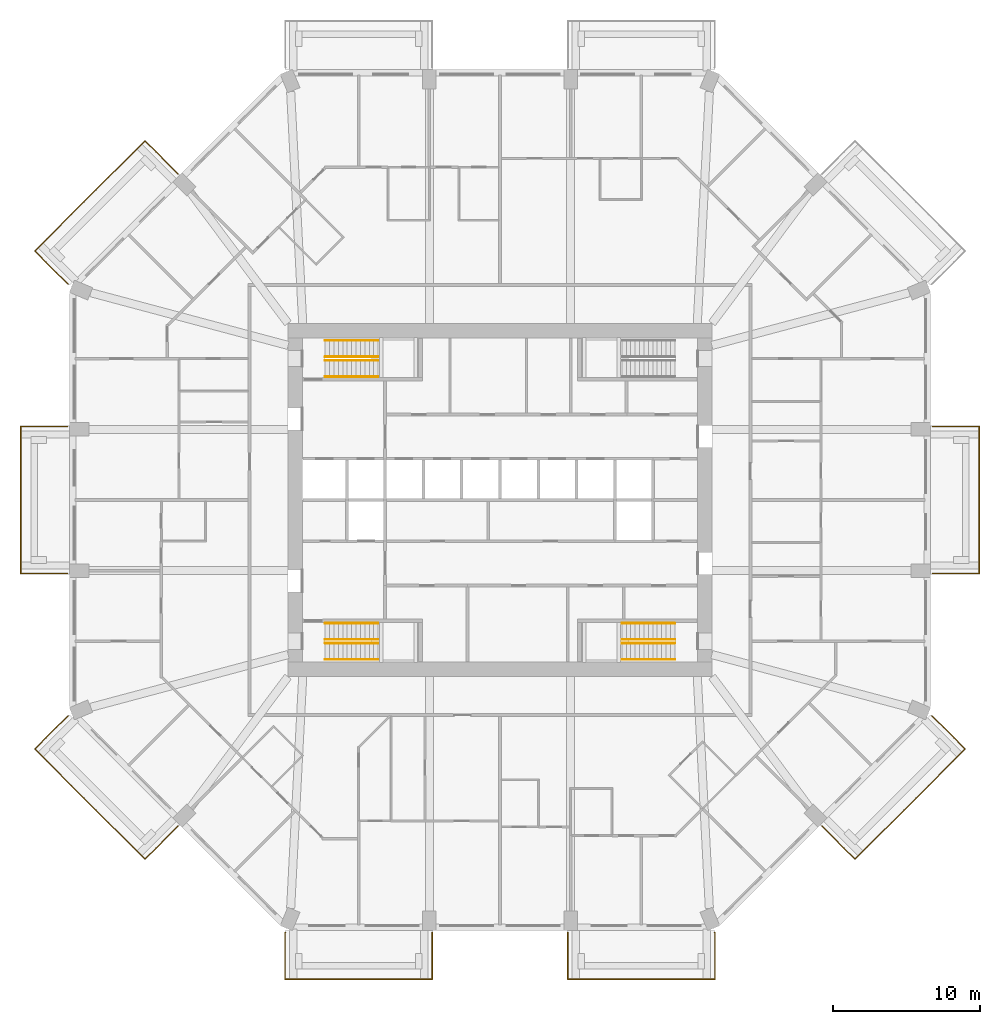
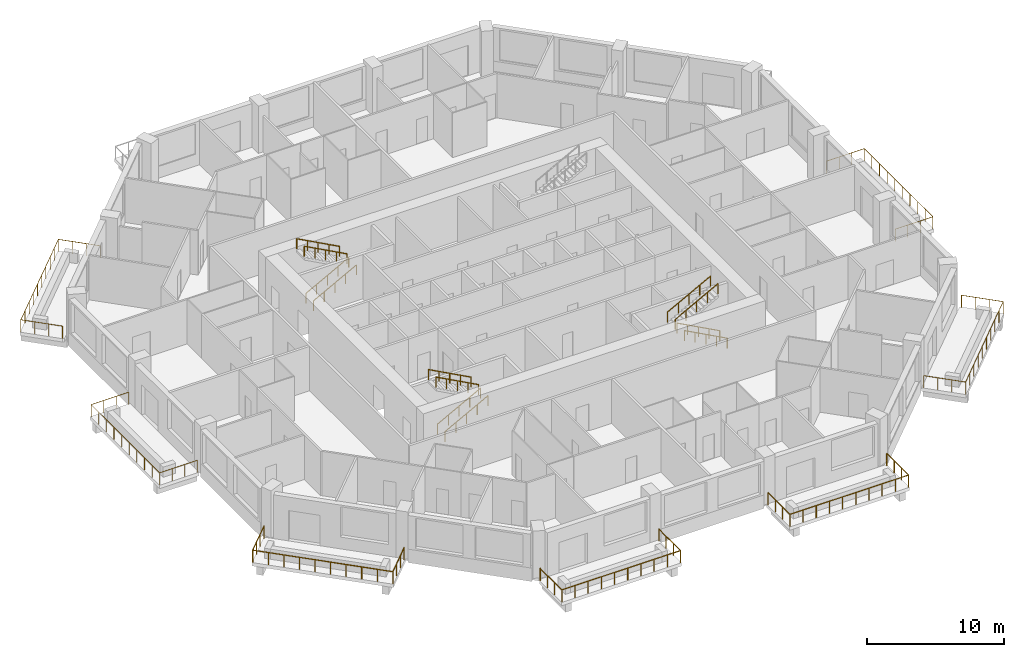
# One storey, part 12 of 13: 19 railings.
"""IFC4 building model written with IfcOpenShell, lengths in metres."""

from ifc_helpers import new_model, si_unit, direction, frame, origin, origin_2d, place, context, subcontext, project, spatial, circle, extrude, material, constituent, constituent_set, type_object, element, save


model = new_model("IFC4")

# Units and contexts
model_context = context("Model", 3, precision=1e-05, world=origin(), true_north=direction((0.0, 1.0)))
body_context = subcontext(model_context, "Body", "Model", "MODEL_VIEW")
ifc_project = project(units=[si_unit("LENGTHUNIT", "METRE"), si_unit("AREAUNIT", "SQUARE_METRE"), si_unit("VOLUMEUNIT", "CUBIC_METRE"), si_unit("PLANEANGLEUNIT", "RADIAN"), si_unit("MASSUNIT", "GRAM", prefix="KILO")], contexts=[model_context])

# Site, building, storey
site_placement = place(None, origin())
site = spatial("IfcSite", under=ifc_project, at=site_placement, CompositionType="ELEMENT")
building_placement = place(site_placement, origin())
building = spatial("IfcBuilding", under=site, at=building_placement, Name="Msitu Wima Residences", CompositionType="ELEMENT")
storey_placement = place(building_placement, frame((0.0, 0.0, 38.10009765625)))
storey = spatial("IfcBuildingStorey", under=building, at=storey_placement, Name="L08", CompositionType="ELEMENT", Elevation=38.10009765625)

# Railings
ifc_material_1 = material(Name="Steel S355", Category="steel")
ifc_constituent_1 = constituent(ifc_material_1, Name="Steel S355")
ifc_material_2 = material(Name="Weathering patina")
ifc_constituent_2 = constituent(ifc_material_2, Name="Weathering patina")
ifc_constituent_set_1 = constituent_set(constituents=[ifc_constituent_1, ifc_constituent_2], Name="Steel S355")
railing_type_1 = type_object("IfcRailingType", Name="Balcony guard GR1100", PredefinedType="GUARDRAIL", material=ifc_constituent_set_1)
railing_1_placement = place(storey_placement, frame((29.3798828125, 5.0, 0.0)))
element("IfcRailing", 1, at=railing_1_placement, inside=storey, type_object=railing_type_1, Name="Balcony guard E1 L08", PredefinedType="GUARDRAIL", context=body_context, shape_type="SweptSolid", body=[
    extrude(circle(Radius=0.02392578125, at=origin_2d()), frame((0.0, 0.0, 1.076171875), z_axis=(1.0, 0.0, 0.0), x_axis=(0.0, 1.0, 0.0)), (0.0, 0.0, 1.0), 3.170166015625),
    extrude(circle(Radius=0.02392578125, at=origin_2d()), frame((3.170166015625, 0.0, 1.076171875), z_axis=(0.0, -1.0, 0.0), x_axis=(1.0, 0.0, 0.0)), (0.0, 0.0, 1.0), 10.0),
    extrude(circle(Radius=0.02392578125, at=origin_2d()), frame((3.170166015625, -10.0, 1.076171875), z_axis=(-1.0, 0.0, 0.0), x_axis=(0.0, -1.0, 0.0)), (0.0, 0.0, 1.0), 3.170166015625),
    extrude(circle(Radius=0.02099609375, at=origin_2d()), origin(), (0.0, 0.0, 1.0), 1.052001953125),
    extrude(circle(Radius=0.02099609375, at=origin_2d()), frame((1.056640625, 0.0, 0.0)), (0.0, 0.0, 1.0), 1.052001953125),
    extrude(circle(Radius=0.02099609375, at=origin_2d()), frame((2.113525390625, 0.0, 0.0)), (0.0, 0.0, 1.0), 1.052001953125),
    extrude(circle(Radius=0.02099609375, at=origin_2d()), frame((3.170166015625, 0.0, 0.0)), (0.0, 0.0, 1.0), 1.052001953125),
    extrude(circle(Radius=0.02099609375, at=origin_2d()), frame((3.170166015625, -1.111083984375, 0.0)), (0.0, 0.0, 1.0), 1.052001953125),
    extrude(circle(Radius=0.02099609375, at=origin_2d()), frame((3.170166015625, -2.22216796875, 0.0)), (0.0, 0.0, 1.0), 1.052001953125),
    extrude(circle(Radius=0.02099609375, at=origin_2d()), frame((3.170166015625, -3.333251953125, 0.0)), (0.0, 0.0, 1.0), 1.052001953125),
    extrude(circle(Radius=0.02099609375, at=origin_2d()), frame((3.170166015625, -4.4443359375, 0.0)), (0.0, 0.0, 1.0), 1.052001953125),
    extrude(circle(Radius=0.02099609375, at=origin_2d()), frame((3.170166015625, -5.5556640625, 0.0)), (0.0, 0.0, 1.0), 1.052001953125),
    extrude(circle(Radius=0.02099609375, at=origin_2d()), frame((3.170166015625, -6.666748046875, 0.0)), (0.0, 0.0, 1.0), 1.052001953125),
    extrude(circle(Radius=0.02099609375, at=origin_2d()), frame((3.170166015625, -7.77783203125, 0.0)), (0.0, 0.0, 1.0), 1.052001953125),
    extrude(circle(Radius=0.02099609375, at=origin_2d()), frame((3.170166015625, -8.888916015625, 0.0)), (0.0, 0.0, 1.0), 1.052001953125),
    extrude(circle(Radius=0.02099609375, at=origin_2d()), frame((3.170166015625, -10.0, 0.0)), (0.0, 0.0, 1.0), 1.052001953125),
    extrude(circle(Radius=0.02099609375, at=origin_2d()), frame((2.113525390625, -10.0, 0.0)), (0.0, 0.0, 1.0), 1.052001953125),
    extrude(circle(Radius=0.02099609375, at=origin_2d()), frame((1.056640625, -10.0, 0.0)), (0.0, 0.0, 1.0), 1.052001953125),
    extrude(circle(Radius=0.02099609375, at=origin_2d()), frame((0.0, -10.0, 0.0)), (0.0, 0.0, 1.0), 1.052001953125),
])
railing_2_placement = place(storey_placement, frame((-29.341796875, 14.678466796875, 0.0)))
element("IfcRailing", 2, at=railing_2_placement, inside=storey, type_object=railing_type_1, Name="Balcony guard NW1 L08", PredefinedType="GUARDRAIL", context=body_context, shape_type="SweptSolid", body=[
    extrude(circle(Radius=0.02392578125, at=origin_2d()), frame((0.0, 0.0, 1.076171875), z_axis=(-0.923276184907, 0.384136806859, 0.0), x_axis=(-0.384136806859, -0.923276184907, 0.0)), (0.0, 0.0, 1.0), 0.0361328125),
    extrude(circle(Radius=0.02392578125, at=origin_2d()), frame((-0.033447265625, 0.013916015625, 1.076171875), z_axis=(-0.707106781187, 0.707106781187, 0.0), x_axis=(-0.707106781187, -0.707106781187, 0.0)), (0.0, 0.0, 1.0), 3.136474609375),
    extrude(circle(Radius=0.02392578125, at=origin_2d()), frame((-2.251220703125, 2.231689453125, 1.076171875), z_axis=(0.70709524572, 0.707118316465, 0.0), x_axis=(-0.707118316465, 0.70709524572, 0.0)), (0.0, 0.0, 1.0), 10.582275390625),
    extrude(circle(Radius=0.02392578125, at=origin_2d()), frame((5.2314453125, 9.714599609375, 1.076171875), z_axis=(0.707145287287, -0.707068272989, 0.0), x_axis=(0.707068272989, 0.707145287287, 0.0)), (0.0, 0.0, 1.0), 3.170166015625),
    extrude(circle(Radius=0.02099609375, at=origin_2d()), origin(), (0.0, 0.0, 1.0), 1.052001953125),
    extrude(circle(Radius=0.02099609375, at=origin_2d()), frame((-0.033447265625, 0.013916015625, 0.0)), (0.0, 0.0, 1.0), 1.052001953125),
    extrude(circle(Radius=0.02099609375, at=origin_2d()), frame((-0.772705078125, 0.753173828125, 0.0)), (0.0, 0.0, 1.0), 1.052001953125),
    extrude(circle(Radius=0.02099609375, at=origin_2d()), frame((-1.511962890625, 1.492431640625, 0.0)), (0.0, 0.0, 1.0), 1.052001953125),
    extrude(circle(Radius=0.02099609375, at=origin_2d()), frame((-2.251220703125, 2.231689453125, 0.0)), (0.0, 0.0, 1.0), 1.052001953125),
    extrude(circle(Radius=0.02099609375, at=origin_2d()), frame((-1.419921875, 3.063232421875, 0.0)), (0.0, 0.0, 1.0), 1.052001953125),
    extrude(circle(Radius=0.02099609375, at=origin_2d()), frame((-0.58837890625, 3.89453125, 0.0)), (0.0, 0.0, 1.0), 1.052001953125),
    extrude(circle(Radius=0.02099609375, at=origin_2d()), frame((0.242919921875, 4.72607421875, 0.0)), (0.0, 0.0, 1.0), 1.052001953125),
    extrude(circle(Radius=0.02099609375, at=origin_2d()), frame((1.074462890625, 5.557373046875, 0.0)), (0.0, 0.0, 1.0), 1.052001953125),
    extrude(circle(Radius=0.02099609375, at=origin_2d()), frame((1.90576171875, 6.388916015625, 0.0)), (0.0, 0.0, 1.0), 1.052001953125),
    extrude(circle(Radius=0.02099609375, at=origin_2d()), frame((2.7373046875, 7.22021484375, 0.0)), (0.0, 0.0, 1.0), 1.052001953125),
    extrude(circle(Radius=0.02099609375, at=origin_2d()), frame((3.568603515625, 8.0517578125, 0.0)), (0.0, 0.0, 1.0), 1.052001953125),
    extrude(circle(Radius=0.02099609375, at=origin_2d()), frame((4.400146484375, 8.883056640625, 0.0)), (0.0, 0.0, 1.0), 1.052001953125),
    extrude(circle(Radius=0.02099609375, at=origin_2d()), frame((5.2314453125, 9.714599609375, 0.0)), (0.0, 0.0, 1.0), 1.052001953125),
    extrude(circle(Radius=0.02099609375, at=origin_2d()), frame((5.978759765625, 8.967529296875, 0.0)), (0.0, 0.0, 1.0), 1.052001953125),
    extrude(circle(Radius=0.02099609375, at=origin_2d()), frame((6.725830078125, 8.22021484375, 0.0)), (0.0, 0.0, 1.0), 1.052001953125),
    extrude(circle(Radius=0.02099609375, at=origin_2d()), frame((7.47314453125, 7.47314453125, 0.0)), (0.0, 0.0, 1.0), 1.052001953125),
])
railing_3_placement = place(storey_placement, frame((-29.3798828125, -5.0, 0.0)))
element("IfcRailing", 3, at=railing_3_placement, inside=storey, type_object=railing_type_1, Name="Balcony guard W1 L08", PredefinedType="GUARDRAIL", context=body_context, shape_type="SweptSolid", body=[
    extrude(circle(Radius=0.02392578125, at=origin_2d()), frame((0.0, 0.0, 1.076171875), z_axis=(-1.0, 0.0, 0.0), x_axis=(0.0, -1.0, 0.0)), (0.0, 0.0, 1.0), 3.170166015625),
    extrude(circle(Radius=0.02392578125, at=origin_2d()), frame((-3.170166015625, 0.0, 1.076171875), z_axis=(0.0, 1.0, 0.0), x_axis=(-1.0, 0.0, 0.0)), (0.0, 0.0, 1.0), 10.0),
    extrude(circle(Radius=0.02392578125, at=origin_2d()), frame((-3.170166015625, 10.0, 1.076171875), z_axis=(1.0, 0.0, 0.0), x_axis=(0.0, 1.0, 0.0)), (0.0, 0.0, 1.0), 3.170166015625),
    extrude(circle(Radius=0.02099609375, at=origin_2d()), origin(), (0.0, 0.0, 1.0), 1.052001953125),
    extrude(circle(Radius=0.02099609375, at=origin_2d()), frame((-1.056640625, 0.0, 0.0)), (0.0, 0.0, 1.0), 1.052001953125),
    extrude(circle(Radius=0.02099609375, at=origin_2d()), frame((-2.113525390625, 0.0, 0.0)), (0.0, 0.0, 1.0), 1.052001953125),
    extrude(circle(Radius=0.02099609375, at=origin_2d()), frame((-3.170166015625, 0.0, 0.0)), (0.0, 0.0, 1.0), 1.052001953125),
    extrude(circle(Radius=0.02099609375, at=origin_2d()), frame((-3.170166015625, 1.111083984375, 0.0)), (0.0, 0.0, 1.0), 1.052001953125),
    extrude(circle(Radius=0.02099609375, at=origin_2d()), frame((-3.170166015625, 2.22216796875, 0.0)), (0.0, 0.0, 1.0), 1.052001953125),
    extrude(circle(Radius=0.02099609375, at=origin_2d()), frame((-3.170166015625, 3.333251953125, 0.0)), (0.0, 0.0, 1.0), 1.052001953125),
    extrude(circle(Radius=0.02099609375, at=origin_2d()), frame((-3.170166015625, 4.4443359375, 0.0)), (0.0, 0.0, 1.0), 1.052001953125),
    extrude(circle(Radius=0.02099609375, at=origin_2d()), frame((-3.170166015625, 5.5556640625, 0.0)), (0.0, 0.0, 1.0), 1.052001953125),
    extrude(circle(Radius=0.02099609375, at=origin_2d()), frame((-3.170166015625, 6.666748046875, 0.0)), (0.0, 0.0, 1.0), 1.052001953125),
    extrude(circle(Radius=0.02099609375, at=origin_2d()), frame((-3.170166015625, 7.77783203125, 0.0)), (0.0, 0.0, 1.0), 1.052001953125),
    extrude(circle(Radius=0.02099609375, at=origin_2d()), frame((-3.170166015625, 8.888916015625, 0.0)), (0.0, 0.0, 1.0), 1.052001953125),
    extrude(circle(Radius=0.02099609375, at=origin_2d()), frame((-3.170166015625, 10.0, 0.0)), (0.0, 0.0, 1.0), 1.052001953125),
    extrude(circle(Radius=0.02099609375, at=origin_2d()), frame((-2.113525390625, 10.0, 0.0)), (0.0, 0.0, 1.0), 1.052001953125),
    extrude(circle(Radius=0.02099609375, at=origin_2d()), frame((-1.056640625, 10.0, 0.0)), (0.0, 0.0, 1.0), 1.052001953125),
    extrude(circle(Radius=0.02099609375, at=origin_2d()), frame((0.0, 10.0, 0.0)), (0.0, 0.0, 1.0), 1.052001953125),
])
railing_4_placement = place(storey_placement, frame((-21.86865234375, -22.151611328125, 0.0)))
element("IfcRailing", 4, at=railing_4_placement, inside=storey, type_object=railing_type_1, Name="Balcony guard SW0 L08", PredefinedType="GUARDRAIL", context=body_context, shape_type="SweptSolid", body=[
    extrude(circle(Radius=0.02392578125, at=origin_2d()), frame((0.0, 0.0, 1.076171875), z_axis=(-0.707145287287, -0.707068272989, 0.0), x_axis=(0.707068272989, -0.707145287287, 0.0)), (0.0, 0.0, 1.0), 3.170166015625),
    extrude(circle(Radius=0.02392578125, at=origin_2d()), frame((-2.24169921875, -2.241455078125, 1.076171875), z_axis=(-0.70709524572, 0.707118316465, 0.0), x_axis=(-0.707118316465, -0.70709524572, 0.0)), (0.0, 0.0, 1.0), 10.582275390625),
    extrude(circle(Radius=0.02392578125, at=origin_2d()), frame((-9.724365234375, 5.241455078125, 1.076171875), z_axis=(0.707106781187, 0.707106781187, 0.0), x_axis=(-0.707106781187, 0.707106781187, 0.0)), (0.0, 0.0, 1.0), 3.136474609375),
    extrude(circle(Radius=0.02392578125, at=origin_2d()), frame((-7.506591796875, 7.459228515625, 1.076171875), z_axis=(0.923276184907, 0.384136806859, 0.0), x_axis=(-0.384136806859, 0.923276184907, 0.0)), (0.0, 0.0, 1.0), 0.0361328125),
    extrude(circle(Radius=0.02099609375, at=origin_2d()), origin(), (0.0, 0.0, 1.0), 1.052001953125),
    extrude(circle(Radius=0.02099609375, at=origin_2d()), frame((-0.747314453125, -0.7470703125, 0.0)), (0.0, 0.0, 1.0), 1.052001953125),
    extrude(circle(Radius=0.02099609375, at=origin_2d()), frame((-1.494384765625, -1.494384765625, 0.0)), (0.0, 0.0, 1.0), 1.052001953125),
    extrude(circle(Radius=0.02099609375, at=origin_2d()), frame((-2.24169921875, -2.241455078125, 0.0)), (0.0, 0.0, 1.0), 1.052001953125),
    extrude(circle(Radius=0.02099609375, at=origin_2d()), frame((-3.072998046875, -1.409912109375, 0.0)), (0.0, 0.0, 1.0), 1.052001953125),
    extrude(circle(Radius=0.02099609375, at=origin_2d()), frame((-3.904541015625, -0.57861328125, 0.0)), (0.0, 0.0, 1.0), 1.052001953125),
    extrude(circle(Radius=0.02099609375, at=origin_2d()), frame((-4.73583984375, 0.2529296875, 0.0)), (0.0, 0.0, 1.0), 1.052001953125),
    extrude(circle(Radius=0.02099609375, at=origin_2d()), frame((-5.5673828125, 1.084228515625, 0.0)), (0.0, 0.0, 1.0), 1.052001953125),
    extrude(circle(Radius=0.02099609375, at=origin_2d()), frame((-6.398681640625, 1.915771484375, 0.0)), (0.0, 0.0, 1.0), 1.052001953125),
    extrude(circle(Radius=0.02099609375, at=origin_2d()), frame((-7.230224609375, 2.7470703125, 0.0)), (0.0, 0.0, 1.0), 1.052001953125),
    extrude(circle(Radius=0.02099609375, at=origin_2d()), frame((-8.0615234375, 3.57861328125, 0.0)), (0.0, 0.0, 1.0), 1.052001953125),
    extrude(circle(Radius=0.02099609375, at=origin_2d()), frame((-8.89306640625, 4.409912109375, 0.0)), (0.0, 0.0, 1.0), 1.052001953125),
    extrude(circle(Radius=0.02099609375, at=origin_2d()), frame((-9.724365234375, 5.241455078125, 0.0)), (0.0, 0.0, 1.0), 1.052001953125),
    extrude(circle(Radius=0.02099609375, at=origin_2d()), frame((-8.985107421875, 5.980712890625, 0.0)), (0.0, 0.0, 1.0), 1.052001953125),
    extrude(circle(Radius=0.02099609375, at=origin_2d()), frame((-8.245849609375, 6.719970703125, 0.0)), (0.0, 0.0, 1.0), 1.052001953125),
    extrude(circle(Radius=0.02099609375, at=origin_2d()), frame((-7.506591796875, 7.459228515625, 0.0)), (0.0, 0.0, 1.0), 1.052001953125),
    extrude(circle(Radius=0.02099609375, at=origin_2d()), frame((-7.47314453125, 7.47314453125, 0.0)), (0.0, 0.0, 1.0), 1.052001953125),
])
railing_5_placement = place(storey_placement, frame((-4.60009765625, -29.3798828125, 0.0)))
element("IfcRailing", 5, at=railing_5_placement, inside=storey, type_object=railing_type_1, Name="Balcony guard S0 L08", PredefinedType="GUARDRAIL", context=body_context, shape_type="SweptSolid", body=[
    extrude(circle(Radius=0.02392578125, at=origin_2d()), frame((0.0, 0.0, 1.076171875), z_axis=(0.0, -1.0, 0.0), x_axis=(1.0, 0.0, 0.0)), (0.0, 0.0, 1.0), 3.170166015625),
    extrude(circle(Radius=0.02392578125, at=origin_2d()), frame((0.0, -3.170166015625, 1.076171875), z_axis=(-1.0, 0.0, 0.0), x_axis=(0.0, -1.0, 0.0)), (0.0, 0.0, 1.0), 10.0),
    extrude(circle(Radius=0.02392578125, at=origin_2d()), frame((-10.0, -3.170166015625, 1.076171875), z_axis=(0.0, 1.0, 0.0), x_axis=(-1.0, 0.0, 0.0)), (0.0, 0.0, 1.0), 3.136474609375),
    extrude(circle(Radius=0.02392578125, at=origin_2d()), frame((-10.0, -0.03369140625, 1.076171875), z_axis=(0.38176015442, 0.92426142649, 0.0), x_axis=(-0.92426142649, 0.38176015442, 0.0)), (0.0, 0.0, 1.0), 0.036376953125),
    extrude(circle(Radius=0.02099609375, at=origin_2d()), origin(), (0.0, 0.0, 1.0), 1.052001953125),
    extrude(circle(Radius=0.02099609375, at=origin_2d()), frame((0.0, -1.056640625, 0.0)), (0.0, 0.0, 1.0), 1.052001953125),
    extrude(circle(Radius=0.02099609375, at=origin_2d()), frame((0.0, -2.113525390625, 0.0)), (0.0, 0.0, 1.0), 1.052001953125),
    extrude(circle(Radius=0.02099609375, at=origin_2d()), frame((0.0, -3.170166015625, 0.0)), (0.0, 0.0, 1.0), 1.052001953125),
    extrude(circle(Radius=0.02099609375, at=origin_2d()), frame((-1.111083984375, -3.170166015625, 0.0)), (0.0, 0.0, 1.0), 1.052001953125),
    extrude(circle(Radius=0.02099609375, at=origin_2d()), frame((-2.22216796875, -3.170166015625, 0.0)), (0.0, 0.0, 1.0), 1.052001953125),
    extrude(circle(Radius=0.02099609375, at=origin_2d()), frame((-3.333251953125, -3.170166015625, 0.0)), (0.0, 0.0, 1.0), 1.052001953125),
    extrude(circle(Radius=0.02099609375, at=origin_2d()), frame((-4.4443359375, -3.170166015625, 0.0)), (0.0, 0.0, 1.0), 1.052001953125),
    extrude(circle(Radius=0.02099609375, at=origin_2d()), frame((-5.5556640625, -3.170166015625, 0.0)), (0.0, 0.0, 1.0), 1.052001953125),
    extrude(circle(Radius=0.02099609375, at=origin_2d()), frame((-6.666748046875, -3.170166015625, 0.0)), (0.0, 0.0, 1.0), 1.052001953125),
    extrude(circle(Radius=0.02099609375, at=origin_2d()), frame((-7.77783203125, -3.170166015625, 0.0)), (0.0, 0.0, 1.0), 1.052001953125),
    extrude(circle(Radius=0.02099609375, at=origin_2d()), frame((-8.888916015625, -3.170166015625, 0.0)), (0.0, 0.0, 1.0), 1.052001953125),
    extrude(circle(Radius=0.02099609375, at=origin_2d()), frame((-10.0, -3.170166015625, 0.0)), (0.0, 0.0, 1.0), 1.052001953125),
    extrude(circle(Radius=0.02099609375, at=origin_2d()), frame((-10.0, -2.124755859375, 0.0)), (0.0, 0.0, 1.0), 1.052001953125),
    extrude(circle(Radius=0.02099609375, at=origin_2d()), frame((-10.0, -1.0791015625, 0.0)), (0.0, 0.0, 1.0), 1.052001953125),
    extrude(circle(Radius=0.02099609375, at=origin_2d()), frame((-10.0, -0.03369140625, 0.0)), (0.0, 0.0, 1.0), 1.052001953125),
    extrude(circle(Radius=0.02099609375, at=origin_2d()), frame((-9.986083984375, 0.0, 0.0)), (0.0, 0.0, 1.0), 1.052001953125),
])
railing_6_placement = place(storey_placement, frame((14.586181640625, -29.3798828125, 0.0)))
element("IfcRailing", 6, at=railing_6_placement, inside=storey, type_object=railing_type_1, Name="Balcony guard S2 L08", PredefinedType="GUARDRAIL", context=body_context, shape_type="SweptSolid", body=[
    extrude(circle(Radius=0.02392578125, at=origin_2d()), frame((0.0, 0.0, 1.076171875), z_axis=(0.38176015442, -0.92426142649, 0.0), x_axis=(0.92426142649, 0.38176015442, 0.0)), (0.0, 0.0, 1.0), 0.036376953125),
    extrude(circle(Radius=0.02392578125, at=origin_2d()), frame((0.013916015625, -0.03369140625, 1.076171875), z_axis=(0.0, -1.0, 0.0), x_axis=(1.0, 0.0, 0.0)), (0.0, 0.0, 1.0), 3.136474609375),
    extrude(circle(Radius=0.02392578125, at=origin_2d()), frame((0.013916015625, -3.170166015625, 1.076171875), z_axis=(-1.0, 0.0, 0.0), x_axis=(0.0, -1.0, 0.0)), (0.0, 0.0, 1.0), 10.0),
    extrude(circle(Radius=0.02392578125, at=origin_2d()), frame((-9.986083984375, -3.170166015625, 1.076171875), z_axis=(0.0, 1.0, 0.0), x_axis=(-1.0, 0.0, 0.0)), (0.0, 0.0, 1.0), 3.170166015625),
    extrude(circle(Radius=0.02099609375, at=origin_2d()), origin(), (0.0, 0.0, 1.0), 1.052001953125),
    extrude(circle(Radius=0.02099609375, at=origin_2d()), frame((0.013916015625, -0.03369140625, 0.0)), (0.0, 0.0, 1.0), 1.052001953125),
    extrude(circle(Radius=0.02099609375, at=origin_2d()), frame((0.013916015625, -1.0791015625, 0.0)), (0.0, 0.0, 1.0), 1.052001953125),
    extrude(circle(Radius=0.02099609375, at=origin_2d()), frame((0.013916015625, -2.124755859375, 0.0)), (0.0, 0.0, 1.0), 1.052001953125),
    extrude(circle(Radius=0.02099609375, at=origin_2d()), frame((0.013916015625, -3.170166015625, 0.0)), (0.0, 0.0, 1.0), 1.052001953125),
    extrude(circle(Radius=0.02099609375, at=origin_2d()), frame((-1.09716796875, -3.170166015625, 0.0)), (0.0, 0.0, 1.0), 1.052001953125),
    extrude(circle(Radius=0.02099609375, at=origin_2d()), frame((-2.208251953125, -3.170166015625, 0.0)), (0.0, 0.0, 1.0), 1.052001953125),
    extrude(circle(Radius=0.02099609375, at=origin_2d()), frame((-3.3193359375, -3.170166015625, 0.0)), (0.0, 0.0, 1.0), 1.052001953125),
    extrude(circle(Radius=0.02099609375, at=origin_2d()), frame((-4.430419921875, -3.170166015625, 0.0)), (0.0, 0.0, 1.0), 1.052001953125),
    extrude(circle(Radius=0.02099609375, at=origin_2d()), frame((-5.541748046875, -3.170166015625, 0.0)), (0.0, 0.0, 1.0), 1.052001953125),
    extrude(circle(Radius=0.02099609375, at=origin_2d()), frame((-6.65283203125, -3.170166015625, 0.0)), (0.0, 0.0, 1.0), 1.052001953125),
    extrude(circle(Radius=0.02099609375, at=origin_2d()), frame((-7.763916015625, -3.170166015625, 0.0)), (0.0, 0.0, 1.0), 1.052001953125),
    extrude(circle(Radius=0.02099609375, at=origin_2d()), frame((-8.875, -3.170166015625, 0.0)), (0.0, 0.0, 1.0), 1.052001953125),
    extrude(circle(Radius=0.02099609375, at=origin_2d()), frame((-9.986083984375, -3.170166015625, 0.0)), (0.0, 0.0, 1.0), 1.052001953125),
    extrude(circle(Radius=0.02099609375, at=origin_2d()), frame((-9.986083984375, -2.113525390625, 0.0)), (0.0, 0.0, 1.0), 1.052001953125),
    extrude(circle(Radius=0.02099609375, at=origin_2d()), frame((-9.986083984375, -1.056640625, 0.0)), (0.0, 0.0, 1.0), 1.052001953125),
    extrude(circle(Radius=0.02099609375, at=origin_2d()), frame((-9.986083984375, 0.0, 0.0)), (0.0, 0.0, 1.0), 1.052001953125),
])
railing_7_placement = place(storey_placement, frame((29.341796875, -14.678466796875, 0.0)))
element("IfcRailing", 7, at=railing_7_placement, inside=storey, type_object=railing_type_1, Name="Balcony guard SE1 L08", PredefinedType="GUARDRAIL", context=body_context, shape_type="SweptSolid", body=[
    extrude(circle(Radius=0.02392578125, at=origin_2d()), frame((0.0, 0.0, 1.076171875), z_axis=(0.923276184907, -0.384136806859, 0.0), x_axis=(0.384136806859, 0.923276184907, 0.0)), (0.0, 0.0, 1.0), 0.0361328125),
    extrude(circle(Radius=0.02392578125, at=origin_2d()), frame((0.033447265625, -0.013916015625, 1.076171875), z_axis=(0.707106781187, -0.707106781187, 0.0), x_axis=(0.707106781187, 0.707106781187, 0.0)), (0.0, 0.0, 1.0), 3.136474609375),
    extrude(circle(Radius=0.02392578125, at=origin_2d()), frame((2.251220703125, -2.231689453125, 1.076171875), z_axis=(-0.70709524572, -0.707118316465, 0.0), x_axis=(0.707118316465, -0.70709524572, 0.0)), (0.0, 0.0, 1.0), 10.582275390625),
    extrude(circle(Radius=0.02392578125, at=origin_2d()), frame((-5.2314453125, -9.714599609375, 1.076171875), z_axis=(-0.707145287287, 0.707068272989, 0.0), x_axis=(-0.707068272989, -0.707145287287, 0.0)), (0.0, 0.0, 1.0), 3.170166015625),
    extrude(circle(Radius=0.02099609375, at=origin_2d()), origin(), (0.0, 0.0, 1.0), 1.052001953125),
    extrude(circle(Radius=0.02099609375, at=origin_2d()), frame((0.033447265625, -0.013916015625, 0.0)), (0.0, 0.0, 1.0), 1.052001953125),
    extrude(circle(Radius=0.02099609375, at=origin_2d()), frame((0.772705078125, -0.753173828125, 0.0)), (0.0, 0.0, 1.0), 1.052001953125),
    extrude(circle(Radius=0.02099609375, at=origin_2d()), frame((1.511962890625, -1.492431640625, 0.0)), (0.0, 0.0, 1.0), 1.052001953125),
    extrude(circle(Radius=0.02099609375, at=origin_2d()), frame((2.251220703125, -2.231689453125, 0.0)), (0.0, 0.0, 1.0), 1.052001953125),
    extrude(circle(Radius=0.02099609375, at=origin_2d()), frame((1.419921875, -3.063232421875, 0.0)), (0.0, 0.0, 1.0), 1.052001953125),
    extrude(circle(Radius=0.02099609375, at=origin_2d()), frame((0.58837890625, -3.89453125, 0.0)), (0.0, 0.0, 1.0), 1.052001953125),
    extrude(circle(Radius=0.02099609375, at=origin_2d()), frame((-0.242919921875, -4.72607421875, 0.0)), (0.0, 0.0, 1.0), 1.052001953125),
    extrude(circle(Radius=0.02099609375, at=origin_2d()), frame((-1.074462890625, -5.557373046875, 0.0)), (0.0, 0.0, 1.0), 1.052001953125),
    extrude(circle(Radius=0.02099609375, at=origin_2d()), frame((-1.90576171875, -6.388916015625, 0.0)), (0.0, 0.0, 1.0), 1.052001953125),
    extrude(circle(Radius=0.02099609375, at=origin_2d()), frame((-2.7373046875, -7.22021484375, 0.0)), (0.0, 0.0, 1.0), 1.052001953125),
    extrude(circle(Radius=0.02099609375, at=origin_2d()), frame((-3.568603515625, -8.0517578125, 0.0)), (0.0, 0.0, 1.0), 1.052001953125),
    extrude(circle(Radius=0.02099609375, at=origin_2d()), frame((-4.400146484375, -8.883056640625, 0.0)), (0.0, 0.0, 1.0), 1.052001953125),
    extrude(circle(Radius=0.02099609375, at=origin_2d()), frame((-5.2314453125, -9.714599609375, 0.0)), (0.0, 0.0, 1.0), 1.052001953125),
    extrude(circle(Radius=0.02099609375, at=origin_2d()), frame((-5.978759765625, -8.967529296875, 0.0)), (0.0, 0.0, 1.0), 1.052001953125),
    extrude(circle(Radius=0.02099609375, at=origin_2d()), frame((-6.725830078125, -8.22021484375, 0.0)), (0.0, 0.0, 1.0), 1.052001953125),
    extrude(circle(Radius=0.02099609375, at=origin_2d()), frame((-7.47314453125, -7.47314453125, 0.0)), (0.0, 0.0, 1.0), 1.052001953125),
])
ifc_constituent_3 = constituent(ifc_material_1, Name="Steel S355")
ifc_material_3 = material(Name="Black powder coating")
ifc_constituent_4 = constituent(ifc_material_3, Name="Black powder coating")
ifc_constituent_set_2 = constituent_set(constituents=[ifc_constituent_3, ifc_constituent_4], Name="Steel S355")
railing_type_2 = type_object("IfcRailingType", Name="Stair handrail HR1", PredefinedType="HANDRAIL", material=ifc_constituent_set_2)
for number, where, name in (
    (8, (-11.875, 8.375, 0.161376953125), "Stair 1 handrail"),
    (9, (-11.875, 9.47509765625, 0.161376953125), "Stair 1 handrail"),
):
    element("IfcRailing", number, at=place(storey_placement, frame(where)), inside=storey, type_object=railing_type_2, Name=name, PredefinedType="HANDRAIL", context=body_context, shape_type="SweptSolid", body=[
        extrude(circle(Radius=0.02392578125, at=origin_2d()), frame((0.0, 0.0, 0.8759765625), z_axis=(0.880474934443, 0.0, 0.474092701714), x_axis=(0.0, 1.0, 0.0)), (0.0, 0.0, 1.0), 4.0888671875),
        extrude(circle(Radius=0.02099609375, at=origin_2d()), origin(), (0.0, 0.0, 1.0), 0.851806640625),
        extrude(circle(Radius=0.02099609375, at=origin_2d()), frame((0.89990234375, 0.0, 0.484619140625)), (0.0, 0.0, 1.0), 0.851806640625),
        extrude(circle(Radius=0.02099609375, at=origin_2d()), frame((1.800048828125, 0.0, 0.96923828125)), (0.0, 0.0, 1.0), 0.851806640625),
        extrude(circle(Radius=0.02099609375, at=origin_2d()), frame((2.7001953125, 0.0, 1.453857421875)), (0.0, 0.0, 1.0), 0.851806640625),
        extrude(circle(Radius=0.02099609375, at=origin_2d()), frame((3.60009765625, 0.0, 1.9384765625)), (0.0, 0.0, 1.0), 0.851806640625),
    ])
for number, where, name in (
    (10, (-8.27490234375, 9.72509765625, 2.261474609375), "Stair 1 handrail"),
    (11, (-8.27490234375, 10.824951171875, 2.261474609375), "Stair 1 handrail"),
):
    element("IfcRailing", number, at=place(storey_placement, frame(where)), inside=storey, type_object=railing_type_2, Name=name, PredefinedType="HANDRAIL", context=body_context, shape_type="SweptSolid", body=[
        extrude(circle(Radius=0.02392578125, at=origin_2d()), frame((0.0, 0.0, 0.8759765625), z_axis=(-0.880474934443, 0.0, 0.474092701714), x_axis=(0.0, -1.0, 0.0)), (0.0, 0.0, 1.0), 4.0888671875),
        extrude(circle(Radius=0.02099609375, at=origin_2d()), origin(), (0.0, 0.0, 1.0), 0.851806640625),
        extrude(circle(Radius=0.02099609375, at=origin_2d()), frame((-0.89990234375, 0.0, 0.484619140625)), (0.0, 0.0, 1.0), 0.851806640625),
        extrude(circle(Radius=0.02099609375, at=origin_2d()), frame((-1.800048828125, 0.0, 0.96923828125)), (0.0, 0.0, 1.0), 0.851806640625),
        extrude(circle(Radius=0.02099609375, at=origin_2d()), frame((-2.7001953125, 0.0, 1.453857421875)), (0.0, 0.0, 1.0), 0.851806640625),
        extrude(circle(Radius=0.02099609375, at=origin_2d()), frame((-3.60009765625, 0.0, 1.9384765625)), (0.0, 0.0, 1.0), 0.851806640625),
    ])
for number, where, name in (
    (12, (-11.875, -10.824951171875, 0.161376953125), "Stair 2 handrail"),
    (13, (-11.875, -9.72509765625, 0.161376953125), "Stair 2 handrail"),
):
    element("IfcRailing", number, at=place(storey_placement, frame(where)), inside=storey, type_object=railing_type_2, Name=name, PredefinedType="HANDRAIL", context=body_context, shape_type="SweptSolid", body=[
        extrude(circle(Radius=0.02392578125, at=origin_2d()), frame((0.0, 0.0, 0.8759765625), z_axis=(0.880474934443, 0.0, 0.474092701714), x_axis=(0.0, 1.0, 0.0)), (0.0, 0.0, 1.0), 4.0888671875),
        extrude(circle(Radius=0.02099609375, at=origin_2d()), origin(), (0.0, 0.0, 1.0), 0.851806640625),
        extrude(circle(Radius=0.02099609375, at=origin_2d()), frame((0.89990234375, 0.0, 0.484619140625)), (0.0, 0.0, 1.0), 0.851806640625),
        extrude(circle(Radius=0.02099609375, at=origin_2d()), frame((1.800048828125, 0.0, 0.96923828125)), (0.0, 0.0, 1.0), 0.851806640625),
        extrude(circle(Radius=0.02099609375, at=origin_2d()), frame((2.7001953125, 0.0, 1.453857421875)), (0.0, 0.0, 1.0), 0.851806640625),
        extrude(circle(Radius=0.02099609375, at=origin_2d()), frame((3.60009765625, 0.0, 1.9384765625)), (0.0, 0.0, 1.0), 0.851806640625),
    ])
for number, where, name in (
    (14, (-8.27490234375, -9.47509765625, 2.261474609375), "Stair 2 handrail"),
    (15, (-8.27490234375, -8.375, 2.261474609375), "Stair 2 handrail"),
    (16, (11.875, -10.824951171875, 0.161376953125), "Stair 4 handrail"),
    (17, (11.875, -9.72509765625, 0.161376953125), "Stair 4 handrail"),
):
    element("IfcRailing", number, at=place(storey_placement, frame(where)), inside=storey, type_object=railing_type_2, Name=name, PredefinedType="HANDRAIL", context=body_context, shape_type="SweptSolid", body=[
        extrude(circle(Radius=0.02392578125, at=origin_2d()), frame((0.0, 0.0, 0.8759765625), z_axis=(-0.880474934443, 0.0, 0.474092701714), x_axis=(0.0, -1.0, 0.0)), (0.0, 0.0, 1.0), 4.0888671875),
        extrude(circle(Radius=0.02099609375, at=origin_2d()), origin(), (0.0, 0.0, 1.0), 0.851806640625),
        extrude(circle(Radius=0.02099609375, at=origin_2d()), frame((-0.89990234375, 0.0, 0.484619140625)), (0.0, 0.0, 1.0), 0.851806640625),
        extrude(circle(Radius=0.02099609375, at=origin_2d()), frame((-1.800048828125, 0.0, 0.96923828125)), (0.0, 0.0, 1.0), 0.851806640625),
        extrude(circle(Radius=0.02099609375, at=origin_2d()), frame((-2.7001953125, 0.0, 1.453857421875)), (0.0, 0.0, 1.0), 0.851806640625),
        extrude(circle(Radius=0.02099609375, at=origin_2d()), frame((-3.60009765625, 0.0, 1.9384765625)), (0.0, 0.0, 1.0), 0.851806640625),
    ])
for number, where, name in (
    (18, (8.27490234375, -9.47509765625, 2.261474609375), "Stair 4 handrail"),
    (19, (8.27490234375, -8.375, 2.261474609375), "Stair 4 handrail"),
):
    element("IfcRailing", number, at=place(storey_placement, frame(where)), inside=storey, type_object=railing_type_2, Name=name, PredefinedType="HANDRAIL", context=body_context, shape_type="SweptSolid", body=[
        extrude(circle(Radius=0.02392578125, at=origin_2d()), frame((0.0, 0.0, 0.8759765625), z_axis=(0.880474934443, 0.0, 0.474092701714), x_axis=(0.0, 1.0, 0.0)), (0.0, 0.0, 1.0), 4.0888671875),
        extrude(circle(Radius=0.02099609375, at=origin_2d()), origin(), (0.0, 0.0, 1.0), 0.851806640625),
        extrude(circle(Radius=0.02099609375, at=origin_2d()), frame((0.89990234375, 0.0, 0.484619140625)), (0.0, 0.0, 1.0), 0.851806640625),
        extrude(circle(Radius=0.02099609375, at=origin_2d()), frame((1.800048828125, 0.0, 0.96923828125)), (0.0, 0.0, 1.0), 0.851806640625),
        extrude(circle(Radius=0.02099609375, at=origin_2d()), frame((2.7001953125, 0.0, 1.453857421875)), (0.0, 0.0, 1.0), 0.851806640625),
        extrude(circle(Radius=0.02099609375, at=origin_2d()), frame((3.60009765625, 0.0, 1.9384765625)), (0.0, 0.0, 1.0), 0.851806640625),
    ])

save(model, "model.ifc")
